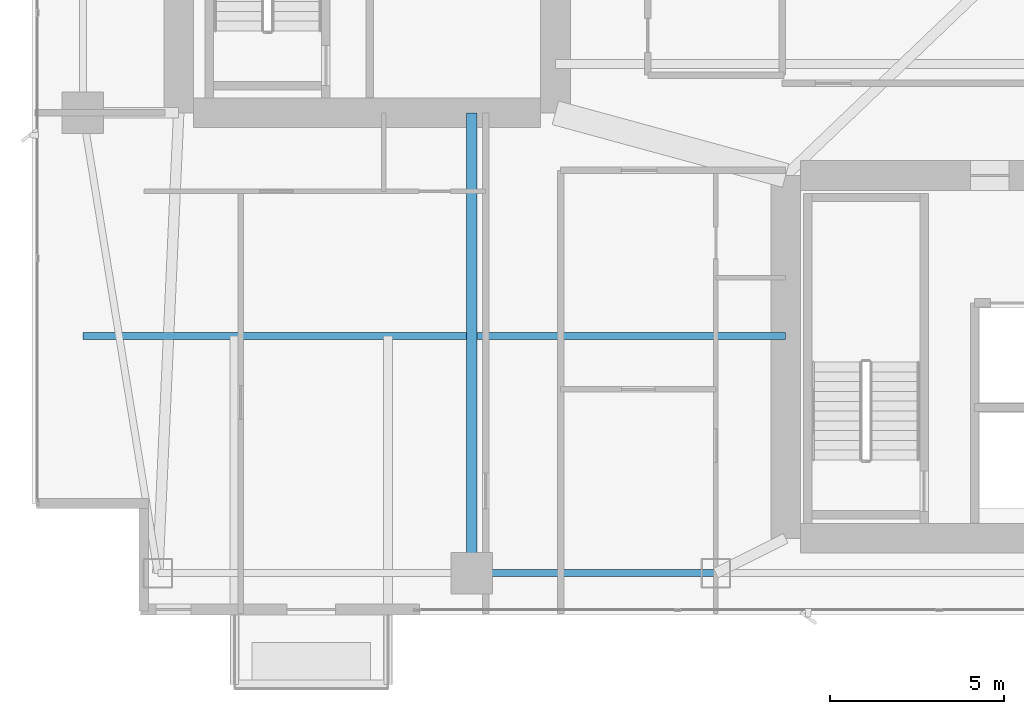
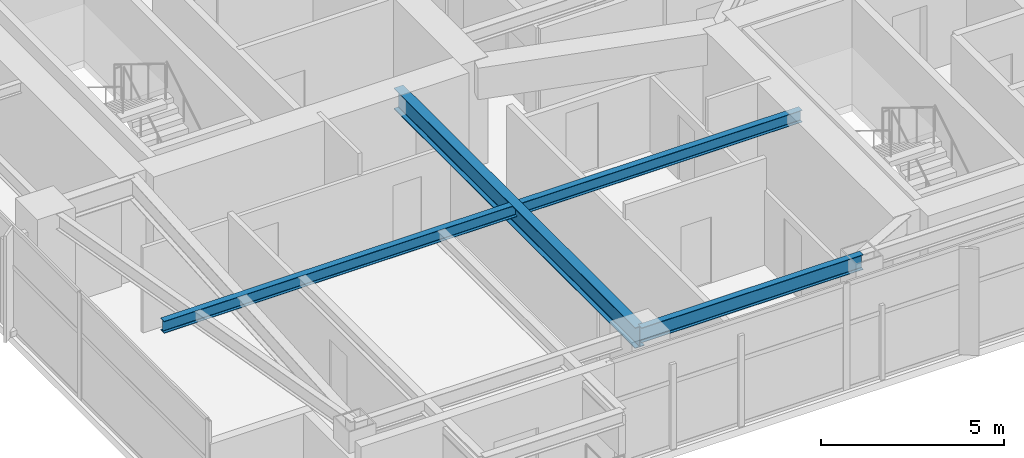
# One storey, part 5 of 28: 3 beams.
"""IFC4 building model written with IfcOpenShell, lengths in metres."""

from ifc_helpers import new_model, si_unit, direction, frame, origin, origin_2d, place, context, subcontext, project, spatial, i_section, extrude, material, material_profile, profile_set, type_object, element, save


model = new_model("IFC4")

# Units and contexts
model_context = context("Model", 3, precision=1e-05, world=origin(), true_north=direction((0.0, 1.0)))
body_context = subcontext(model_context, "Body", "Model", "MODEL_VIEW")
ifc_project = project(units=[si_unit("LENGTHUNIT", "METRE"), si_unit("AREAUNIT", "SQUARE_METRE"), si_unit("VOLUMEUNIT", "CUBIC_METRE"), si_unit("PLANEANGLEUNIT", "RADIAN"), si_unit("MASSUNIT", "GRAM", prefix="KILO")], contexts=[model_context])

# Site, building, storey
site_placement = place(None, origin())
site = spatial("IfcSite", under=ifc_project, at=site_placement, CompositionType="ELEMENT")
building_placement = place(site_placement, origin())
building = spatial("IfcBuilding", under=site, at=building_placement, Name="Calvorn Quay Hotel", CompositionType="ELEMENT")
storey_placement = place(building_placement, frame((0.0, 0.0, 127.800048828125)))
storey = spatial("IfcBuildingStorey", under=building, at=storey_placement, Name="L31", CompositionType="ELEMENT", Elevation=127.800048828125)

# Beams
ifc_material_1 = material(Name="Steel Q390GJC", Category="steel")
ifc_material_profile_1 = material_profile(ifc_material_1, i_section(OverallWidth=0.300048828125, OverallDepth=0.699951171875, WebThickness=0.012939453125, FlangeThickness=0.02392578125, FilletRadius=0.02392578125, at=origin_2d()), Name="HN700x300x13x24")
ifc_profile_set_1 = profile_set([ifc_material_profile_1], Name="Steel Q390GJC")
beam_type_1 = type_object("IfcBeamType", Name="BM-GIRD-MAIN", PredefinedType="BEAM", material=ifc_profile_set_1)
beam_1_placement = place(storey_placement, frame((12.60009765625, 3.60009765625, 3.18994140625), z_axis=(0.0, 1.0, 0.0), x_axis=(-1.0, 0.0, 0.0)))
element("IfcBeam", 1, at=beam_1_placement, inside=storey, type_object=beam_type_1, Name="Beam BG-L31-S1", PredefinedType="BEAM", context=body_context, shape_type="SweptSolid", body=[
    extrude(i_section(OverallWidth=0.300048828125, OverallDepth=0.699951171875, WebThickness=0.012939453125, FlangeThickness=0.02392578125, FilletRadius=0.02392578125, at=origin_2d()), origin(), (0.0, 0.0, 1.0), 13.199951171875),
])
ifc_material_2 = material(Name="Steel Q355B", Category="steel")
ifc_material_profile_2 = material_profile(ifc_material_2, i_section(OverallWidth=0.199951171875, OverallDepth=0.39990234375, WebThickness=0.008056640625, FlangeThickness=0.012939453125, FilletRadius=0.01611328125, at=origin_2d()), Name="HN400x200x8x13")
ifc_profile_set_2 = profile_set([ifc_material_profile_2], Name="Steel Q355B")
beam_type_2 = type_object("IfcBeamType", Name="BM-JOIST-TYP", PredefinedType="JOIST", material=ifc_profile_set_2)
beam_2_placement = place(storey_placement, frame((1.449951171875, 10.39990234375, 3.33984375), z_axis=(1.0, 0.0, 0.0), x_axis=(0.0, 1.0, 0.0)))
element("IfcBeam", 2, at=beam_2_placement, inside=storey, type_object=beam_type_2, Name="Beam BJ-L31-W1", PredefinedType="JOIST", context=body_context, shape_type="SweptSolid", body=[
    extrude(i_section(OverallWidth=0.199951171875, OverallDepth=0.39990234375, WebThickness=0.008056640625, FlangeThickness=0.012939453125, FilletRadius=0.01611328125, at=origin_2d()), origin(), (0.0, 0.0, 1.0), 20.150146484375),
])
ifc_material_3 = material(Name="Steel Q355B", Category="steel")
ifc_material_profile_3 = material_profile(ifc_material_3, i_section(OverallWidth=0.199951171875, OverallDepth=0.5, WebThickness=0.010009765625, FlangeThickness=0.01611328125, FilletRadius=0.01611328125, at=origin_2d()), Name="HN500x200x10x16")
ifc_profile_set_3 = profile_set([ifc_material_profile_3], Name="Steel Q355B")
beam_type_3 = type_object("IfcBeamType", Name="BM-SPANDREL-Z1", PredefinedType="SPANDREL", material=ifc_profile_set_3)
beam_3_placement = place(storey_placement, frame((12.60009765625, 3.60009765625, 3.2900390625), z_axis=(1.0, 0.0, 0.0), x_axis=(0.0, 1.0, 0.0)))
element("IfcBeam", 3, at=beam_3_placement, inside=storey, type_object=beam_type_3, Name="Beam BSP-L31-S2", PredefinedType="SPANDREL", context=body_context, shape_type="SweptSolid", body=[
    extrude(i_section(OverallWidth=0.199951171875, OverallDepth=0.5, WebThickness=0.010009765625, FlangeThickness=0.01611328125, FilletRadius=0.01611328125, at=origin_2d()), origin(), (0.0, 0.0, 1.0), 7.0),
])

save(model, "model.ifc")
